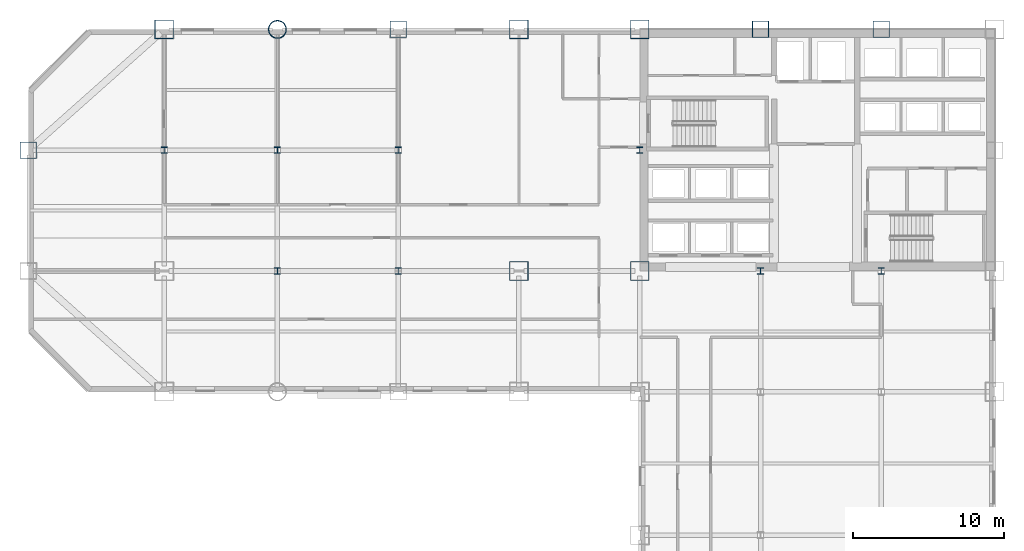
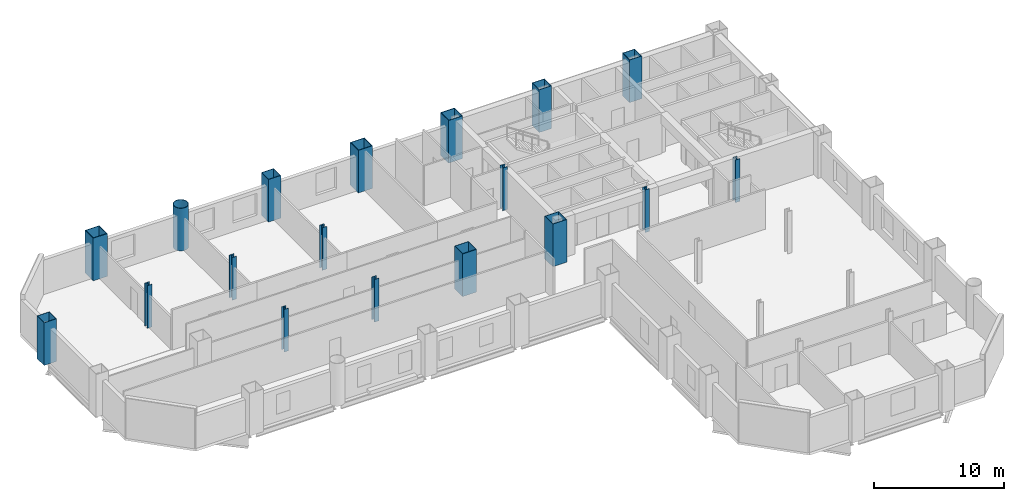
# One storey, part 2 of 9: 18 columns.
"""IFC4 building model written with IfcOpenShell, lengths in metres."""

from ifc_helpers import new_model, si_unit, direction, frame, origin, origin_2d, place, context, subcontext, project, spatial, hollow_rectangle, hollow_circle, i_section, extrude, material, material_profile, profile_set, type_object, element, save


model = new_model("IFC4")

# Units and contexts
model_context = context("Model", 3, precision=1e-05, world=origin(), true_north=direction((0.0, 1.0)))
body_context = subcontext(model_context, "Body", "Model", "MODEL_VIEW")
ifc_project = project(units=[si_unit("LENGTHUNIT", "METRE"), si_unit("AREAUNIT", "SQUARE_METRE"), si_unit("VOLUMEUNIT", "CUBIC_METRE"), si_unit("PLANEANGLEUNIT", "RADIAN"), si_unit("MASSUNIT", "GRAM", prefix="KILO")], contexts=[model_context])

# Site, building, storey
site_placement = place(None, origin())
site = spatial("IfcSite", under=ifc_project, at=site_placement, CompositionType="ELEMENT")
building_placement = place(site_placement, origin())
building = spatial("IfcBuilding", under=site, at=building_placement, Name="Qianrong Seaharbour Tower", CompositionType="ELEMENT")
storey_placement = place(building_placement, frame((0.0, 0.0, 44.199951171875)))
storey = spatial("IfcBuildingStorey", under=building, at=storey_placement, Name="L10", CompositionType="ELEMENT", Elevation=44.199951171875)

# Columns
ifc_material = material(Name="Structural steel SN490B", Category="steel")
ifc_material_profile_1 = material_profile(ifc_material, hollow_rectangle(XDim=1.25, YDim=1.25, WallThickness=0.044921875, at=origin_2d()), Name="BOX1250x1250x45")
ifc_profile_set_1 = profile_set([ifc_material_profile_1], Name="Structural steel SN490B")
column_type_1 = type_object("IfcColumnType", Name="COL-CFT-1250", PredefinedType="COLUMN", material=ifc_profile_set_1)
for number, where, z_axis, x_axis, name in (
    (1, (9.0, 52.0, 0.0), (0.0, 0.0, 1.0), (1.0, 0.0, 0.0), "L10 Column MC-2 at G2/GH"),
    (2, (32.5, 36.0, 0.0), (0.0, 0.0, 1.0), (1.0, 0.0, 0.0), "L10 Column MC-2 at G5/GF"),
    (3, (32.5, 52.0, 0.0), (0.0, 0.0, 1.0), (1.0, 0.0, 0.0), "L10 Column MC-2 at G5/GH"),
    (4, (40.5, 36.0, 0.0), (0.0, 0.0, 1.0), (1.0, 0.0, 0.0), "L10 Column MC-2 at G6/GF"),
    (5, (40.5, 52.0, 0.0), (0.0, 0.0, 1.0), (1.0, 0.0, 0.0), "L10 Column MC-2 at G6/GH"),
):
    element("IfcColumn", number, at=place(storey_placement, frame(where, z_axis=z_axis, x_axis=x_axis)), inside=storey, type_object=column_type_1, Name=name, PredefinedType="COLUMN", context=body_context, shape_type="SweptSolid", body=[
        extrude(hollow_rectangle(XDim=1.25, YDim=1.25, WallThickness=0.044921875, at=origin_2d()), origin(), (0.0, 0.0, 1.0), 4.0),
    ])
ifc_material_profile_2 = material_profile(ifc_material, hollow_circle(Radius=0.60009765625, WallThickness=0.0400390625, at=origin_2d()), Name="CHS1200x40")
ifc_profile_set_2 = profile_set([ifc_material_profile_2], Name="Structural steel SN490B")
column_type_2 = type_object("IfcColumnType", Name="COL-CHS-1200", PredefinedType="COLUMN", material=ifc_profile_set_2)
column_placement = place(storey_placement, frame((16.5, 52.0, 0.0), z_axis=(0.0, 0.0, 1.0), x_axis=(1.0, 0.0, 0.0)))
element("IfcColumn", 6, at=column_placement, inside=storey, type_object=column_type_2, Name="L10 Column CC-1 at G3/GH", PredefinedType="COLUMN", context=body_context, shape_type="SweptSolid", body=[
    extrude(hollow_circle(Radius=0.60009765625, WallThickness=0.0400390625, at=origin_2d()), origin(), (0.0, 0.0, 1.0), 4.0),
])
ifc_material_profile_3 = material_profile(ifc_material, i_section(OverallWidth=0.406982421875, OverallDepth=0.427978515625, WebThickness=0.02001953125, FlangeThickness=0.034912109375, FilletRadius=0.02197265625, at=origin_2d()), Name="H428x407x20x35")
ifc_profile_set_3 = profile_set([ifc_material_profile_3], Name="Structural steel SN490B")
column_type_3 = type_object("IfcColumnType", Name="COL-INT-H428", PredefinedType="COLUMN", material=ifc_profile_set_3)
for number, where, z_axis, x_axis, name in (
    (7, (9.0, 44.0, 0.0), (0.0, 0.0, 1.0), (1.0, 0.0, 0.0), "L10 Column IC-2 at G2/GG"),
    (8, (16.5, 36.0, 0.0), (0.0, 0.0, 1.0), (1.0, 0.0, 0.0), "L10 Column IC-2 at G3/GF"),
    (9, (16.5, 44.0, 0.0), (0.0, 0.0, 1.0), (1.0, 0.0, 0.0), "L10 Column IC-2 at G3/GG"),
    (10, (24.5, 36.0, 0.0), (0.0, 0.0, 1.0), (1.0, 0.0, 0.0), "L10 Column IC-2 at G4/GF"),
    (11, (24.5, 44.0, 0.0), (0.0, 0.0, 1.0), (1.0, 0.0, 0.0), "L10 Column IC-2 at G4/GG"),
    (12, (40.5, 44.0, 0.0), (0.0, 0.0, 1.0), (1.0, 0.0, 0.0), "L10 Column IC-2 at G6/GG"),
    (13, (48.5, 36.0, 0.0), (0.0, 0.0, 1.0), (1.0, 0.0, 0.0), "L10 Column IC-2 at G7/GF"),
    (14, (56.5, 36.0, 0.0), (0.0, 0.0, 1.0), (1.0, 0.0, 0.0), "L10 Column IC-2 at G8/GF"),
):
    element("IfcColumn", number, at=place(storey_placement, frame(where, z_axis=z_axis, x_axis=x_axis)), inside=storey, type_object=column_type_3, Name=name, PredefinedType="COLUMN", context=body_context, shape_type="SweptSolid", body=[
        extrude(i_section(OverallWidth=0.406982421875, OverallDepth=0.427978515625, WebThickness=0.02001953125, FlangeThickness=0.034912109375, FilletRadius=0.02197265625, at=origin_2d()), origin(), (0.0, 0.0, 1.0), 4.0),
    ])
ifc_material_profile_4 = material_profile(ifc_material, hollow_rectangle(XDim=1.10009765625, YDim=1.10009765625, WallThickness=0.0400390625, at=origin_2d()), Name="BOX1100x1100x40")
ifc_profile_set_4 = profile_set([ifc_material_profile_4], Name="Structural steel SN490B")
column_type_4 = type_object("IfcColumnType", Name="COL-PER-1100", PredefinedType="COLUMN", material=ifc_profile_set_4)
for number, where, z_axis, x_axis, name in (
    (15, (0.0, 44.0, 0.0), (0.0, 0.0, 1.0), (1.0, 0.0, 0.0), "L10 Column PC-1 at G1/GG"),
    (16, (24.5, 52.0, 0.0), (0.0, 0.0, 1.0), (1.0, 0.0, 0.0), "L10 Column PC-1 at G4/GH"),
    (17, (48.5, 52.0, 0.0), (0.0, 0.0, 1.0), (1.0, 0.0, 0.0), "L10 Column PC-1 at G7/GH"),
    (18, (56.5, 52.0, 0.0), (0.0, 0.0, 1.0), (1.0, 0.0, 0.0), "L10 Column PC-1 at G8/GH"),
):
    element("IfcColumn", number, at=place(storey_placement, frame(where, z_axis=z_axis, x_axis=x_axis)), inside=storey, type_object=column_type_4, Name=name, PredefinedType="COLUMN", context=body_context, shape_type="SweptSolid", body=[
        extrude(hollow_rectangle(XDim=1.10009765625, YDim=1.10009765625, WallThickness=0.0400390625, at=origin_2d()), origin(), (0.0, 0.0, 1.0), 4.0),
    ])

save(model, "model.ifc")
